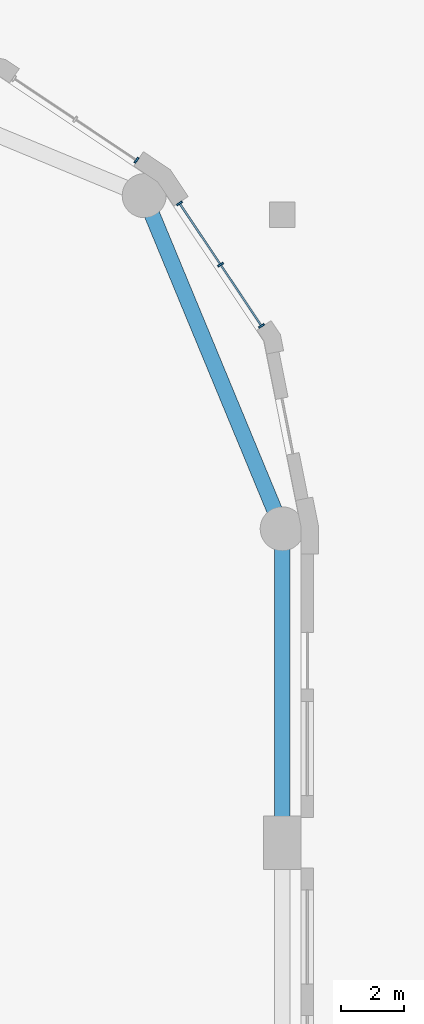
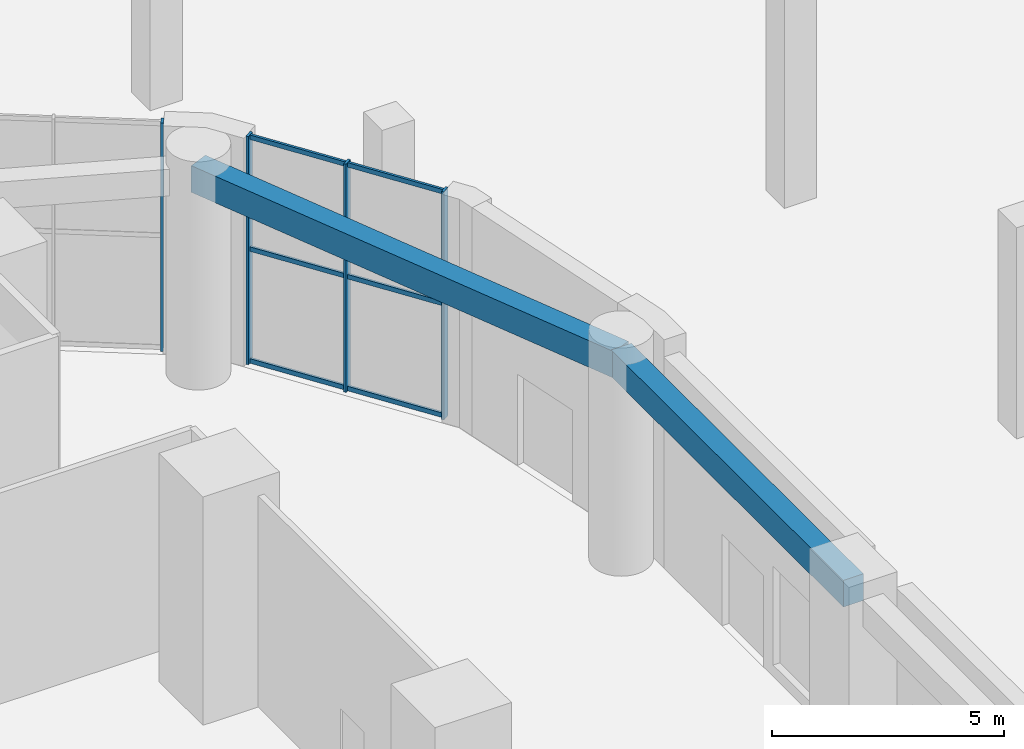
# One storey, part 3 of 21: 10 members, 2 beams, 2 elements without a shape of their own.
"""IFC4 building model written with IfcOpenShell, lengths in metres."""

from ifc_helpers import new_model, si_unit, direction, frame, origin, origin_2d, place, context, subcontext, project, spatial, rectangle, extrude, material, layer, layer_set, material_profile, profile_set, type_object, element, aggregate, save


model = new_model("IFC4")

# Units and contexts
model_context = context("Model", 3, precision=1e-05, world=origin(), true_north=direction((0.0, 1.0)))
body_context = subcontext(model_context, "Body", "Model", "MODEL_VIEW")
ifc_project = project(units=[si_unit("LENGTHUNIT", "METRE"), si_unit("AREAUNIT", "SQUARE_METRE"), si_unit("VOLUMEUNIT", "CUBIC_METRE"), si_unit("PLANEANGLEUNIT", "RADIAN"), si_unit("MASSUNIT", "GRAM", prefix="KILO")], contexts=[model_context])

# Site, building, storey
site_placement = place(None, origin())
site = spatial("IfcSite", under=ifc_project, at=site_placement, CompositionType="ELEMENT")
building_placement = place(site_placement, origin())
building = spatial("IfcBuilding", under=site, at=building_placement, Name="Qaws Garden Tower", CompositionType="ELEMENT")
storey_placement = place(building_placement, origin())
storey = spatial("IfcBuildingStorey", under=building, at=storey_placement, Name="L00", CompositionType="ELEMENT", Elevation=0.0)

# Curtain wall, members
ifc_material_1 = material(Name="Anodised aluminium curtain wall frame", Category="aluminium")
ifc_layer = layer(ifc_material_1, 0.159912109375)
ifc_layer_set = layer_set([ifc_layer], Name="Anodised aluminium curtain wall frame")
curtain_wall_type = type_object("IfcCurtainWallType", Name="CW1 street shopfront curtain wall", PredefinedType="NOTDEFINED", material=ifc_layer_set)
placement = place(storey_placement, origin())
curtain_wall_1 = element("IfcCurtainWall", 1, at=placement, inside=storey, type_object=curtain_wall_type, Name="CW1 Street shopfront 16", PredefinedType="NOTDEFINED")
ifc_material_2 = material(Name="Anodised aluminium curtain wall frame", Category="aluminium")
ifc_material_profile_1 = material_profile(ifc_material_2, rectangle(XDim=0.199951171875, YDim=0.06005859375, at=origin_2d()), Name="AL 60x200")
ifc_profile_set_1 = profile_set([ifc_material_profile_1], Name="Anodised aluminium curtain wall frame")
member_type_1 = type_object("IfcMemberType", Name="CW1 mullion 60 x 200", PredefinedType="MULLION", material=ifc_profile_set_1)
member_1_placement = place(storey_placement, frame((29.340087890625, 66.458984375, 0.0), z_axis=(0.0, 0.0, 1.0), x_axis=(-0.831469612206, -0.555570233165, 0.0)))
member_1 = element("IfcMember", 2, at=member_1_placement, type_object=member_type_1, Name="CW1 mullion 1", PredefinedType="MULLION", context=body_context, shape_type="SweptSolid", body=[
    extrude(rectangle(XDim=0.199951171875, YDim=0.06005859375, at=origin_2d()), origin(), (0.0, 0.0, 1.0), 6.0),
])
member_2_placement = place(storey_placement, frame((28.036376953125, 68.409912109375, 0.0), z_axis=(0.0, 0.0, 1.0), x_axis=(-0.831469612206, -0.555570233165, 0.0)))
member_2 = element("IfcMember", 3, at=member_2_placement, type_object=member_type_1, Name="CW1 mullion 2", PredefinedType="MULLION", context=body_context, shape_type="SweptSolid", body=[
    extrude(rectangle(XDim=0.199951171875, YDim=0.06005859375, at=origin_2d()), origin(), (0.0, 0.0, 1.0), 6.0),
])
member_3_placement = place(storey_placement, frame((26.73291015625, 70.36083984375, 0.0), z_axis=(0.0, 0.0, 1.0), x_axis=(-0.831469612206, -0.555570233165, 0.0)))
member_3 = element("IfcMember", 4, at=member_3_placement, type_object=member_type_1, Name="CW1 mullion 3", PredefinedType="MULLION", context=body_context, shape_type="SweptSolid", body=[
    extrude(rectangle(XDim=0.199951171875, YDim=0.06005859375, at=origin_2d()), origin(), (0.0, 0.0, 1.0), 6.0),
])

# Curtain wall, member
curtain_wall_2 = element("IfcCurtainWall", 5, at=placement, inside=storey, type_object=curtain_wall_type, Name="CW1 Street shopfront 17", PredefinedType="NOTDEFINED")
member_4_placement = place(storey_placement, frame((25.36083984375, 71.73291015625, 0.0), z_axis=(0.0, 0.0, 1.0), x_axis=(-0.555570233165, -0.831469612206, 0.0)))
member_4 = element("IfcMember", 6, at=member_4_placement, type_object=member_type_1, Name="CW1 mullion 1", PredefinedType="MULLION", context=body_context, shape_type="SweptSolid", body=[
    extrude(rectangle(XDim=0.199951171875, YDim=0.06005859375, at=origin_2d()), origin(), (0.0, 0.0, 1.0), 6.0),
])
aggregate(curtain_wall_2, [member_4])

# Member
ifc_material_3 = material(Name="Anodised aluminium curtain wall frame", Category="aluminium")
ifc_material_profile_2 = material_profile(ifc_material_3, rectangle(XDim=0.06005859375, YDim=0.1201171875, at=origin_2d()), Name="AL 60x120")
ifc_profile_set_2 = profile_set([ifc_material_profile_2], Name="Anodised aluminium curtain wall frame")
member_type_2 = type_object("IfcMemberType", Name="CW1 transom 120 x 60", PredefinedType="USERDEFINED", material=ifc_profile_set_2)
member_5_placement = place(storey_placement, frame((29.3232421875, 66.484130859375, 0.06005859375), z_axis=(-0.555537830231, 0.831491262241, 0.0), x_axis=(-0.831491262241, -0.555537830231, 0.0)))
member_5 = element("IfcMember", 7, at=member_5_placement, type_object=member_type_2, Name="CW1 transom 1.1", ObjectType="TRANSOM", PredefinedType="USERDEFINED", context=body_context, shape_type="SweptSolid", body=[
    extrude(rectangle(XDim=0.06005859375, YDim=0.1201171875, at=origin_2d()), origin(), (0.0, 0.0, 1.0), 2.2861328125),
])

member_6_placement = place(storey_placement, frame((29.3232421875, 66.484130859375, 3.0), z_axis=(-0.555537830231, 0.831491262241, 0.0), x_axis=(-0.831491262241, -0.555537830231, 0.0)))
member_6 = element("IfcMember", 8, at=member_6_placement, type_object=member_type_2, Name="CW1 transom 1.2", ObjectType="TRANSOM", PredefinedType="USERDEFINED", context=body_context, shape_type="SweptSolid", body=[
    extrude(rectangle(XDim=0.06005859375, YDim=0.1201171875, at=origin_2d()), origin(), (0.0, 0.0, 1.0), 2.2861328125),
])

member_7_placement = place(storey_placement, frame((29.3232421875, 66.484130859375, 5.93994140625), z_axis=(-0.555537830231, 0.831491262241, 0.0), x_axis=(-0.831491262241, -0.555537830231, 0.0)))
member_7 = element("IfcMember", 9, at=member_7_placement, type_object=member_type_2, Name="CW1 transom 1.3", ObjectType="TRANSOM", PredefinedType="USERDEFINED", context=body_context, shape_type="SweptSolid", body=[
    extrude(rectangle(XDim=0.06005859375, YDim=0.1201171875, at=origin_2d()), origin(), (0.0, 0.0, 1.0), 2.2861328125),
])

member_8_placement = place(storey_placement, frame((28.019775390625, 68.43505859375, 0.06005859375), z_axis=(-0.555611658047, 0.831441931492, 0.0), x_axis=(-0.831441931492, -0.555611658047, 0.0)))
member_8 = element("IfcMember", 10, at=member_8_placement, type_object=member_type_2, Name="CW1 transom 2.1", ObjectType="TRANSOM", PredefinedType="USERDEFINED", context=body_context, shape_type="SweptSolid", body=[
    extrude(rectangle(XDim=0.06005859375, YDim=0.1201171875, at=origin_2d()), origin(), (0.0, 0.0, 1.0), 2.2861328125),
])

member_9_placement = place(storey_placement, frame((28.019775390625, 68.43505859375, 3.0), z_axis=(-0.555611658047, 0.831441931492, 0.0), x_axis=(-0.831441931492, -0.555611658047, 0.0)))
member_9 = element("IfcMember", 11, at=member_9_placement, type_object=member_type_2, Name="CW1 transom 2.2", ObjectType="TRANSOM", PredefinedType="USERDEFINED", context=body_context, shape_type="SweptSolid", body=[
    extrude(rectangle(XDim=0.06005859375, YDim=0.1201171875, at=origin_2d()), origin(), (0.0, 0.0, 1.0), 2.2861328125),
])

member_10_placement = place(storey_placement, frame((28.019775390625, 68.43505859375, 5.93994140625), z_axis=(-0.555611658047, 0.831441931492, 0.0), x_axis=(-0.831441931492, -0.555611658047, 0.0)))
member_10 = element("IfcMember", 12, at=member_10_placement, type_object=member_type_2, Name="CW1 transom 2.3", ObjectType="TRANSOM", PredefinedType="USERDEFINED", context=body_context, shape_type="SweptSolid", body=[
    extrude(rectangle(XDim=0.06005859375, YDim=0.1201171875, at=origin_2d()), origin(), (0.0, 0.0, 1.0), 2.2861328125),
])

aggregate(curtain_wall_1, [member_1, member_2, member_3, member_5, member_6, member_7, member_8, member_9, member_10])

# Beams
ifc_material_4 = material(Name="Concrete C45", Category="concrete")
ifc_material_profile_3 = material_profile(ifc_material_4, rectangle(XDim=0.5, YDim=0.699951171875, at=origin_2d()), Name="RC 500x700")
ifc_profile_set_3 = profile_set([ifc_material_profile_3], Name="Concrete C45")
beam_type = type_object("IfcBeamType", Name="Spandrel beam RC 500x700 C45", PredefinedType="SPANDREL", material=ifc_profile_set_3)
beam_1_placement = place(storey_placement, frame((30.0, 50.0, 5.199951171875), z_axis=(0.0, 1.0, 0.0), x_axis=(-1.0, 0.0, 0.0)))
element("IfcBeam", 13, at=beam_1_placement, inside=storey, type_object=beam_type, Name="Spandrel beam L00-015", PredefinedType="SPANDREL", context=body_context, shape_type="SweptSolid", body=[
    extrude(rectangle(XDim=0.5, YDim=0.699951171875, at=origin_2d()), origin(), (0.0, 0.0, 1.0), 10.0),
])
beam_2_placement = place(storey_placement, frame((30.0, 60.0, 5.199951171875), z_axis=(-0.382674207535, 0.923883353507, 0.0), x_axis=(-0.923883353507, -0.382674207535, 0.0)))
element("IfcBeam", 14, at=beam_2_placement, inside=storey, type_object=beam_type, Name="Spandrel beam L00-016", PredefinedType="SPANDREL", context=body_context, shape_type="SweptSolid", body=[
    extrude(rectangle(XDim=0.5, YDim=0.699951171875, at=origin_2d()), origin(), (0.0, 0.0, 1.0), 11.48046875),
])

save(model, "model.ifc")
